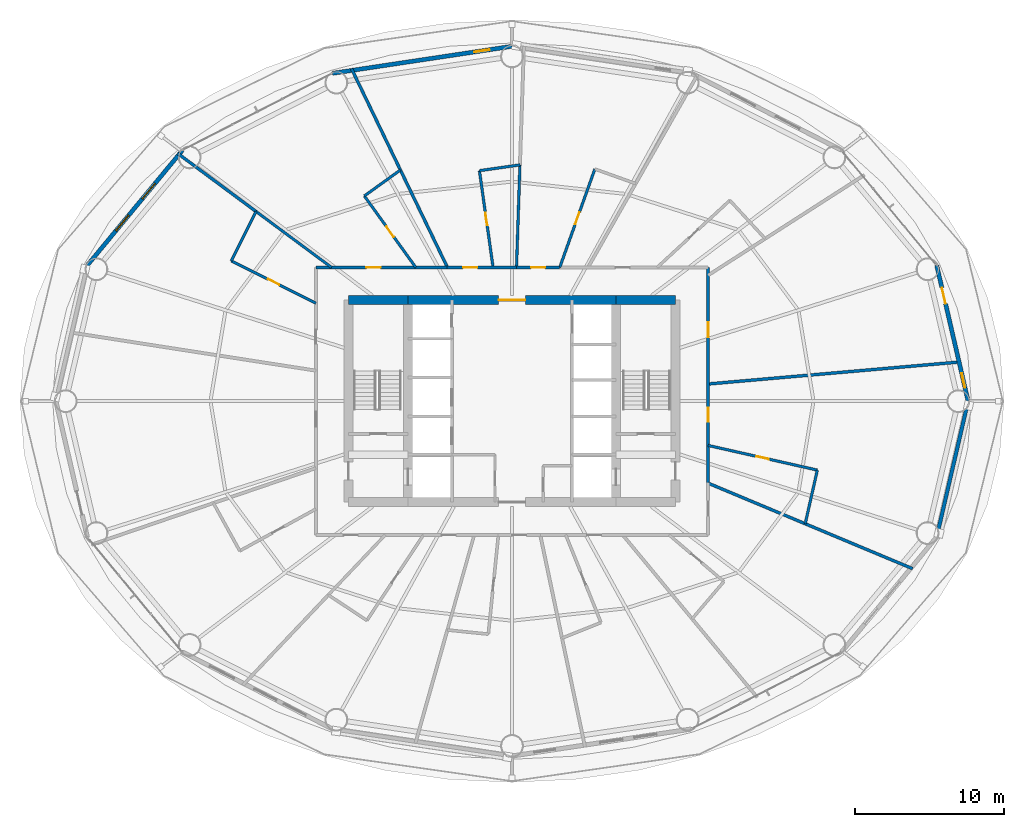
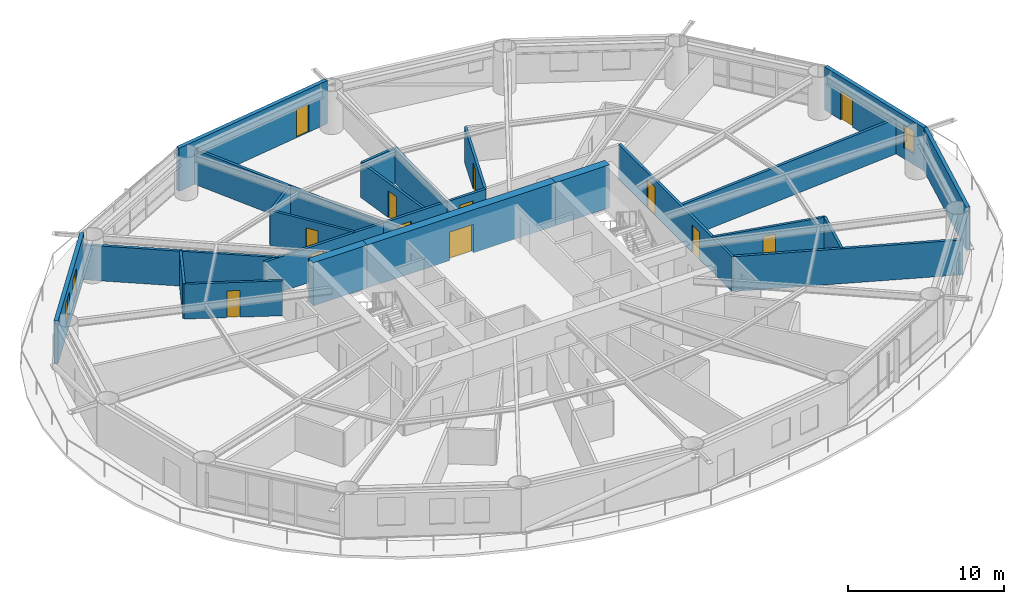
# One storey, part 24 of 28: 26 walls, 13 doors, 3 windows, 16 openings.
"""IFC4 building model written with IfcOpenShell, lengths in metres."""

from ifc_helpers import new_model, si_unit, direction, frame, frame_2d, origin, place, context, subcontext, project, spatial, rectangle, extrude, material, layer, layer_set, type_object, element, fill, save


model = new_model("IFC4")

# Units and contexts
model_context = context("Model", 3, precision=1e-05, world=origin(), true_north=direction((0.0, 1.0)))
body_context = subcontext(model_context, "Body", "Model", "MODEL_VIEW")
ifc_project = project(units=[si_unit("LENGTHUNIT", "METRE"), si_unit("AREAUNIT", "SQUARE_METRE"), si_unit("VOLUMEUNIT", "CUBIC_METRE"), si_unit("PLANEANGLEUNIT", "RADIAN"), si_unit("MASSUNIT", "GRAM", prefix="KILO")], contexts=[model_context])

# Site, building, storey
site_placement = place(None, origin())
site = spatial("IfcSite", under=ifc_project, at=site_placement, CompositionType="ELEMENT")
building_placement = place(site_placement, origin())
building = spatial("IfcBuilding", under=site, at=building_placement, Name="Sarneth Arch Tower", CompositionType="ELEMENT")
storey_placement = place(building_placement, frame((0.0, 0.0, 31.800048828125)))
storey = spatial("IfcBuildingStorey", under=building, at=storey_placement, Name="L06", CompositionType="ELEMENT", Elevation=31.800048828125)

# Wall
ifc_material_1 = material(Name="Concrete C60/75", Category="concrete")
ifc_layer_1 = layer(ifc_material_1, 0.60009765625)
ifc_layer_set_1 = layer_set([ifc_layer_1], Name="Concrete C60/75")
wall_type_1 = type_object("IfcWallType", Name="WALL-CORE-600", PredefinedType="SHEAR", material=ifc_layer_set_1)
wall_1_placement = place(storey_placement, frame((37.0, 48.800048828125, 0.0), z_axis=(0.0, 0.0, 1.0), x_axis=(1.0, 0.0, 0.0)))
element("IfcWall", 1, at=wall_1_placement, inside=storey, type_object=wall_type_1, Name="L06 Core shear wall N-W", PredefinedType="SHEAR", context=body_context, shape_type="SweptSolid", body=[
    extrude(rectangle(XDim=4.0, YDim=0.60009765625, at=frame_2d((2.0, 0.0))), origin(), (0.0, 0.0, 1.0), 3.3798828125),
])

# Wall, opening, door
wall_2_placement = place(storey_placement, frame((41.0, 48.800048828125, 0.0), z_axis=(0.0, 0.0, 1.0), x_axis=(1.0, 0.0, 0.0)))
wall_2 = element("IfcWall", 2, at=wall_2_placement, inside=storey, type_object=wall_type_1, Name="L06 Core shear wall N-M", PredefinedType="SHEAR", context=body_context, shape_type="SweptSolid", body=[
    extrude(rectangle(XDim=14.0, YDim=0.60009765625, at=frame_2d((7.0, 0.0))), origin(), (0.0, 0.0, 1.0), 3.3798828125),
])
opening_1_placement = place(wall_2_placement, frame((6.10009765625, 0.0, 0.0)))
opening_1 = element("IfcOpeningElement", 3, at=opening_1_placement, cuts=wall_2, Name="Opening FD-01", PredefinedType="OPENING", context=body_context, shape_type="SweptSolid", body=[
    extrude(rectangle(XDim=1.800048828125, YDim=2.25, at=frame_2d((0.89990234375, 1.125))), frame((0.0, 0.31005859375, 0.0), z_axis=(0.0, -1.0, 0.0), x_axis=(1.0, 0.0, 0.0)), (0.0, 0.0, 1.0), 0.6201171875),
])
ifc_material_2 = material(Name="Galvanised Steel S275 fire door set", Category="steel")
door_type_1 = type_object("IfcDoorType", Name="DR-FD90-1800", OperationType="DOUBLE_DOOR_SINGLE_SWING", PredefinedType="DOOR", material=ifc_material_2)
door_1_placement = place(opening_1_placement, origin())
door_1 = element("IfcDoor", 4, at=door_1_placement, inside=storey, type_object=door_type_1, Name="L06 Central lift lobby north door", OperationType="DOUBLE_DOOR_SINGLE_SWING", OverallHeight=2.25, OverallWidth=1.800048828125, PredefinedType="DOOR", context=body_context, shape_type="SweptSolid", body=[
    extrude(rectangle(XDim=1.800048828125, YDim=2.25, at=frame_2d((0.89990234375, 1.125))), frame((0.0, 0.02490234375, 0.0), z_axis=(0.0, -1.0, 0.0), x_axis=(1.0, 0.0, 0.0)), (0.0, 0.0, 1.0), 0.050048828125),
])
fill(opening_1, door_1)

# Wall
wall_3_placement = place(storey_placement, frame((55.0, 48.800048828125, 0.0), z_axis=(0.0, 0.0, 1.0), x_axis=(1.0, 0.0, 0.0)))
element("IfcWall", 5, at=wall_3_placement, inside=storey, type_object=wall_type_1, Name="L06 Core shear wall N-E", PredefinedType="SHEAR", context=body_context, shape_type="SweptSolid", body=[
    extrude(rectangle(XDim=4.0, YDim=0.60009765625, at=frame_2d((2.0, 0.0))), origin(), (0.0, 0.0, 1.0), 3.3798828125),
])

# Wall, openings, doors
ifc_material_3 = material(Name="Double steel-stud corridor fire wall", Category="steel")
ifc_layer_2 = layer(ifc_material_3, 0.18994140625)
ifc_layer_set_2 = layer_set([ifc_layer_2], Name="Double steel-stud corridor fire wall")
wall_type_2 = type_object("IfcWallType", Name="WALL-CORR-190", PredefinedType="PARTITIONING", material=ifc_layer_set_2)
wall_4_placement = place(storey_placement, frame((61.199951171875, 51.0, 0.0), z_axis=(0.0, 0.0, 1.0), x_axis=(0.0, -1.0, 0.0)))
wall_4 = element("IfcWall", 6, at=wall_4_placement, inside=storey, type_object=wall_type_2, Name="L06 Interior partition W-L06-TP-001", PredefinedType="PARTITIONING", context=body_context, shape_type="SweptSolid", body=[
    extrude(rectangle(XDim=14.55419921875, YDim=0.18994140625, at=frame_2d((7.277099609375, 0.0))), origin(), (0.0, 0.0, 1.0), 2.739990234375),
])
opening_2_placement = place(wall_4_placement, frame((3.683837890625, 0.0, 0.0)))
opening_2 = element("IfcOpeningElement", 7, at=opening_2_placement, cuts=wall_4, Name="Opening FD-08", PredefinedType="OPENING", context=body_context, shape_type="SweptSolid", body=[
    extrude(rectangle(XDim=1.0, YDim=2.199951171875, at=frame_2d((0.5, 1.10009765625))), frame((0.0, 0.10498046875, 0.0), z_axis=(0.0, -1.0, 0.0), x_axis=(1.0, 0.0, 0.0)), (0.0, 0.0, 1.0), 0.2099609375),
])
opening_3_placement = place(wall_4_placement, frame((9.43798828125, 0.0, 0.0)))
opening_3 = element("IfcOpeningElement", 8, at=opening_3_placement, cuts=wall_4, Name="Opening FD-09", PredefinedType="OPENING", context=body_context, shape_type="SweptSolid", body=[
    extrude(rectangle(XDim=0.949951171875, YDim=2.14990234375, at=frame_2d((0.47509765625, 1.074951171875))), frame((0.0, 0.10498046875, 0.0), z_axis=(0.0, -1.0, 0.0), x_axis=(1.0, 0.0, 0.0)), (0.0, 0.0, 1.0), 0.2099609375),
])
ifc_material_4 = material(Name="Hardwood timber acoustic fire door", Category="wood")
door_type_2 = type_object("IfcDoorType", Name="DR-FD60-1000", OperationType="SINGLE_SWING_LEFT", PredefinedType="DOOR", material=ifc_material_4)
door_2_placement = place(opening_2_placement, origin())
door_2 = element("IfcDoor", 9, at=door_2_placement, inside=storey, type_object=door_type_2, Name="L06 Interior door DR-L06-AMN-01", OperationType="SINGLE_SWING_LEFT", OverallHeight=2.199951171875, OverallWidth=1.0, PredefinedType="DOOR", context=body_context, shape_type="SweptSolid", body=[
    extrude(rectangle(XDim=1.0, YDim=2.199951171875, at=frame_2d((0.5, 1.10009765625))), frame((0.0, 0.02490234375, 0.0), z_axis=(0.0, -1.0, 0.0), x_axis=(1.0, 0.0, 0.0)), (0.0, 0.0, 1.0), 0.050048828125),
])
fill(opening_2, door_2)
ifc_material_5 = material(Name="Hardwood timber hotel entrance fire door", Category="wood")
door_type_3 = type_object("IfcDoorType", Name="DR-FD60-950", OperationType="SINGLE_SWING_RIGHT", PredefinedType="DOOR", material=ifc_material_5)
door_3_placement = place(opening_3_placement, origin())
door_3 = element("IfcDoor", 10, at=door_3_placement, inside=storey, type_object=door_type_3, Name="L06 Interior door DR-L06-KEY-13", OperationType="SINGLE_SWING_LEFT", OverallHeight=2.14990234375, OverallWidth=0.949951171875, PredefinedType="DOOR", context=body_context, shape_type="SweptSolid", body=[
    extrude(rectangle(XDim=0.949951171875, YDim=2.14990234375, at=frame_2d((0.47509765625, 1.074951171875))), frame((0.0, 0.02490234375, 0.0), z_axis=(0.0, -1.0, 0.0), x_axis=(1.0, 0.0, 0.0)), (0.0, 0.0, 1.0), 0.050048828125),
])
fill(opening_3, door_3)

# Wall, opening, door
wall_5_placement = place(storey_placement, frame((34.800048828125, 51.0, 0.0), z_axis=(0.0, 0.0, 1.0), x_axis=(1.0, 0.0, 0.0)))
wall_5 = element("IfcWall", 11, at=wall_5_placement, inside=storey, type_object=wall_type_2, Name="L06 Interior partition W-L06-TP-009", PredefinedType="PARTITIONING", context=body_context, shape_type="SweptSolid", body=[
    extrude(rectangle(XDim=8.890625, YDim=0.18994140625, at=frame_2d((4.4453125, 0.0))), origin(), (0.0, 0.0, 1.0), 2.739990234375),
])
opening_4_placement = place(wall_5_placement, frame((3.40673828125, 0.0, 0.0)))
opening_4 = element("IfcOpeningElement", 12, at=opening_4_placement, cuts=wall_5, Name="Opening FD-09", PredefinedType="OPENING", context=body_context, shape_type="SweptSolid", body=[
    extrude(rectangle(XDim=0.949951171875, YDim=2.14990234375, at=frame_2d((0.47509765625, 1.074951171875))), frame((0.0, 0.10498046875, 0.0), z_axis=(0.0, -1.0, 0.0), x_axis=(1.0, 0.0, 0.0)), (0.0, 0.0, 1.0), 0.2099609375),
])
door_4_placement = place(opening_4_placement, origin())
door_4 = element("IfcDoor", 13, at=door_4_placement, inside=storey, type_object=door_type_3, Name="L06 Interior door DR-L06-KEY-05", OperationType="SINGLE_SWING_LEFT", OverallHeight=2.14990234375, OverallWidth=0.949951171875, PredefinedType="DOOR", context=body_context, shape_type="SweptSolid", body=[
    extrude(rectangle(XDim=0.949951171875, YDim=2.14990234375, at=frame_2d((0.47509765625, 1.074951171875))), frame((0.0, 0.02490234375, 0.0), z_axis=(0.0, -1.0, 0.0), x_axis=(1.0, 0.0, 0.0)), (0.0, 0.0, 1.0), 0.050048828125),
])
fill(opening_4, door_4)

wall_6_placement = place(storey_placement, frame((43.61962890625, 51.0, 0.0), z_axis=(0.0, 0.0, 1.0), x_axis=(1.0, 0.0, 0.0)))
wall_6 = element("IfcWall", 14, at=wall_6_placement, inside=storey, type_object=wall_type_2, Name="L06 Interior partition W-L06-TP-007", PredefinedType="PARTITIONING", context=body_context, shape_type="SweptSolid", body=[
    extrude(rectangle(XDim=4.6826171875, YDim=0.18994140625, at=frame_2d((2.34130859375, 0.0))), origin(), (0.0, 0.0, 1.0), 2.739990234375),
])
opening_5_placement = place(wall_6_placement, frame((1.09521484375, 0.0, 0.0)))
opening_5 = element("IfcOpeningElement", 15, at=opening_5_placement, cuts=wall_6, Name="Opening FD-09", PredefinedType="OPENING", context=body_context, shape_type="SweptSolid", body=[
    extrude(rectangle(XDim=0.949951171875, YDim=2.14990234375, at=frame_2d((0.47509765625, 1.074951171875))), frame((0.0, 0.10498046875, 0.0), z_axis=(0.0, -1.0, 0.0), x_axis=(1.0, 0.0, 0.0)), (0.0, 0.0, 1.0), 0.2099609375),
])
door_5_placement = place(opening_5_placement, origin())
door_5 = element("IfcDoor", 16, at=door_5_placement, inside=storey, type_object=door_type_3, Name="L06 Interior door DR-L06-KEY-04", OperationType="SINGLE_SWING_LEFT", OverallHeight=2.14990234375, OverallWidth=0.949951171875, PredefinedType="DOOR", context=body_context, shape_type="SweptSolid", body=[
    extrude(rectangle(XDim=0.949951171875, YDim=2.14990234375, at=frame_2d((0.47509765625, 1.074951171875))), frame((0.0, 0.02490234375, 0.0), z_axis=(0.0, -1.0, 0.0), x_axis=(1.0, 0.0, 0.0)), (0.0, 0.0, 1.0), 0.050048828125),
])
fill(opening_5, door_5)

wall_7_placement = place(storey_placement, frame((51.212890625, 51.0, 0.0), z_axis=(0.0, 0.0, 1.0), x_axis=(-1.0, 0.0, 0.0)))
wall_7 = element("IfcWall", 17, at=wall_7_placement, inside=storey, type_object=wall_type_2, Name="L06 Interior partition W-L06-TP-005", PredefinedType="PARTITIONING", context=body_context, shape_type="SweptSolid", body=[
    extrude(rectangle(XDim=2.91064453125, YDim=0.18994140625, at=frame_2d((1.455322265625, 0.0))), origin(), (0.0, 0.0, 1.0), 2.739990234375),
])
opening_6_placement = place(wall_7_placement, frame((0.980224609375, 0.0, 0.0)))
opening_6 = element("IfcOpeningElement", 18, at=opening_6_placement, cuts=wall_7, Name="Opening FD-09", PredefinedType="OPENING", context=body_context, shape_type="SweptSolid", body=[
    extrude(rectangle(XDim=0.949951171875, YDim=2.14990234375, at=frame_2d((0.47509765625, 1.074951171875))), frame((0.0, 0.10498046875, 0.0), z_axis=(0.0, -1.0, 0.0), x_axis=(1.0, 0.0, 0.0)), (0.0, 0.0, 1.0), 0.2099609375),
])
door_6_placement = place(opening_6_placement, origin())
door_6 = element("IfcDoor", 19, at=door_6_placement, inside=storey, type_object=door_type_3, Name="L06 Interior door DR-L06-KEY-03", OperationType="SINGLE_SWING_LEFT", OverallHeight=2.14990234375, OverallWidth=0.949951171875, PredefinedType="DOOR", context=body_context, shape_type="SweptSolid", body=[
    extrude(rectangle(XDim=0.949951171875, YDim=2.14990234375, at=frame_2d((0.47509765625, 1.074951171875))), frame((0.0, 0.02490234375, 0.0), z_axis=(0.0, -1.0, 0.0), x_axis=(1.0, 0.0, 0.0)), (0.0, 0.0, 1.0), 0.050048828125),
])
fill(opening_6, door_6)

# Wall
ifc_material_6 = material(Name="Extruded terracotta rainscreen on Concrete C40/50 backing", Category="masonry")
ifc_layer_3 = layer(ifc_material_6, 0.25)
ifc_layer_set_3 = layer_set([ifc_layer_3], Name="Extruded terracotta rainscreen on Concrete C40/50 backing")
wall_type_3 = type_object("IfcWallType", Name="WALL-EXT-SPAND-250", PredefinedType="SOLIDWALL", material=ifc_layer_set_3)
wall_8_placement = place(storey_placement, frame((76.5810546875, 32.861572265625, 0.0), z_axis=(0.0, 0.0, 1.0), x_axis=(0.225454452941, 0.974253709076, 0.0)))
element("IfcWall", 20, at=wall_8_placement, inside=storey, type_object=wall_type_3, Name="L06 Terracotta perimeter wall 16", PredefinedType="SOLIDWALL", context=body_context, shape_type="SweptSolid", body=[
    extrude(rectangle(XDim=9.3798828125, YDim=0.25, at=frame_2d((4.68994140625, 0.0))), origin(), (0.0, 0.0, 1.0), 3.3798828125),
])

# Wall, openings, door, window
ifc_material_7 = material(Name="Extruded terracotta rainscreen on Concrete C40/50 backing", Category="masonry")
ifc_layer_4 = layer(ifc_material_7, 0.280029296875)
ifc_layer_set_4 = layer_set([ifc_layer_4], Name="Extruded terracotta rainscreen on Concrete C40/50 backing")
wall_type_4 = type_object("IfcWallType", Name="WALL-EXT-TERRA-280", PredefinedType="SOLIDWALL", material=ifc_layer_set_4)
wall_9_placement = place(storey_placement, frame((78.69580078125, 42.0, 0.0), z_axis=(0.0, 0.0, 1.0), x_axis=(-0.225454452941, 0.974253709076, 0.0)))
wall_9 = element("IfcWall", 21, at=wall_9_placement, inside=storey, type_object=wall_type_4, Name="L06 Terracotta perimeter wall 01", PredefinedType="SOLIDWALL", context=body_context, shape_type="SweptSolid", body=[
    extrude(rectangle(XDim=9.3798828125, YDim=0.280029296875, at=frame_2d((4.68994140625, 0.0))), origin(), (0.0, 0.0, 1.0), 3.3798828125),
])
opening_7_placement = place(wall_9_placement, frame((6.735107421875, 0.0, 0.0)))
opening_7 = element("IfcOpeningElement", 22, at=opening_7_placement, cuts=wall_9, Name="Opening BD-3", PredefinedType="OPENING", context=body_context, shape_type="SweptSolid", body=[
    extrude(rectangle(XDim=1.10009765625, YDim=2.25, at=frame_2d((0.550048828125, 1.125))), frame((0.0, 0.14990234375, 0.0), z_axis=(0.0, -1.0, 0.0), x_axis=(1.0, 0.0, 0.0)), (0.0, 0.0, 1.0), 0.300048828125),
])
opening_8_placement = place(wall_9_placement, frame((0.928955078125, 0.0, 0.85009765625)))
opening_8 = element("IfcOpeningElement", 23, at=opening_8_placement, cuts=wall_9, Name="Opening W-11", PredefinedType="OPENING", context=body_context, shape_type="SweptSolid", body=[
    extrude(rectangle(XDim=1.0, YDim=1.800048828125, at=frame_2d((0.5, 0.89990234375))), frame((0.0, 0.14990234375, 0.0), z_axis=(0.0, -1.0, 0.0), x_axis=(1.0, 0.0, 0.0)), (0.0, 0.0, 1.0), 0.300048828125),
])
ifc_material_8 = material(Name="Thermally broken Aluminium 6063-T6 and laminated safety glass", Category="aluminium")
door_type_4 = type_object("IfcDoorType", Name="DR-BALC-GLZ-1100", OperationType="SINGLE_SWING_LEFT", PredefinedType="DOOR", material=ifc_material_8)
door_7_placement = place(opening_7_placement, origin())
door_7 = element("IfcDoor", 24, at=door_7_placement, inside=storey, type_object=door_type_4, Name="L06 Balcony glazed door 01", OperationType="SINGLE_SWING_LEFT", OverallHeight=2.25, OverallWidth=1.10009765625, PredefinedType="DOOR", context=body_context, shape_type="SweptSolid", body=[
    extrude(rectangle(XDim=1.10009765625, YDim=2.25, at=frame_2d((0.550048828125, 1.125))), frame((0.0, 0.02490234375, 0.0), z_axis=(0.0, -1.0, 0.0), x_axis=(1.0, 0.0, 0.0)), (0.0, 0.0, 1.0), 0.050048828125),
])
fill(opening_7, door_7)
ifc_material_9 = material(Name="Thermally broken Aluminium 6063-T6 and low-e laminated IGU", Category="aluminium")
window_type_1 = type_object("IfcWindowType", Name="WIN-TWR-1000x1800", PartitioningType="SINGLE_PANEL", PredefinedType="WINDOW", material=ifc_material_9)
window_1_placement = place(opening_8_placement, origin())
window_1 = element("IfcWindow", 25, at=window_1_placement, inside=storey, type_object=window_type_1, Name="L06 Dwelling bedroom window 02", OverallHeight=1.800048828125, OverallWidth=1.0, PartitioningType="SINGLE_PANEL", PredefinedType="WINDOW", context=body_context, shape_type="SweptSolid", body=[
    extrude(rectangle(XDim=1.0, YDim=1.800048828125, at=frame_2d((0.5, 0.89990234375))), frame((0.0, 0.030029296875, 0.0), z_axis=(0.0, -1.0, 0.0), x_axis=(1.0, 0.0, 0.0)), (0.0, 0.0, 1.0), 0.06005859375),
])
fill(opening_8, window_1)

# Wall, opening, door
wall_10_placement = place(storey_placement, frame((48.0, 65.8798828125, 0.0), z_axis=(0.0, 0.0, 1.0), x_axis=(-0.988864835849, -0.148816452121, 0.0)))
wall_10 = element("IfcWall", 26, at=wall_10_placement, inside=storey, type_object=wall_type_4, Name="L06 Terracotta perimeter wall 05", PredefinedType="SOLIDWALL", context=body_context, shape_type="SweptSolid", body=[
    extrude(rectangle(XDim=12.2138671875, YDim=0.280029296875, at=frame_2d((6.10693359375, 0.0))), origin(), (0.0, 0.0, 1.0), 3.3798828125),
])
opening_9_placement = place(wall_10_placement, frame((1.53125, 0.0, 0.0)))
opening_9 = element("IfcOpeningElement", 27, at=opening_9_placement, cuts=wall_10, Name="Opening BD-4", PredefinedType="OPENING", context=body_context, shape_type="SweptSolid", body=[
    extrude(rectangle(XDim=1.050048828125, YDim=2.199951171875, at=frame_2d((0.52490234375, 1.10009765625))), frame((0.0, 0.14990234375, 0.0), z_axis=(0.0, -1.0, 0.0), x_axis=(1.0, 0.0, 0.0)), (0.0, 0.0, 1.0), 0.300048828125),
])
ifc_material_10 = material(Name="Thermally broken Aluminium 6063-T6 and laminated safety glass", Category="aluminium")
door_type_5 = type_object("IfcDoorType", Name="DR-BALC-GLZ-1050", OperationType="SINGLE_SWING_RIGHT", PredefinedType="DOOR", material=ifc_material_10)
door_8_placement = place(opening_9_placement, origin())
door_8 = element("IfcDoor", 28, at=door_8_placement, inside=storey, type_object=door_type_5, Name="L06 Balcony glazed door 05", OperationType="SINGLE_SWING_RIGHT", OverallHeight=2.199951171875, OverallWidth=1.050048828125, PredefinedType="DOOR", context=body_context, shape_type="SweptSolid", body=[
    extrude(rectangle(XDim=1.050048828125, YDim=2.199951171875, at=frame_2d((0.52490234375, 1.10009765625))), frame((0.0, 0.02490234375, 0.0), z_axis=(0.0, -1.0, 0.0), x_axis=(1.0, 0.0, 0.0)), (0.0, 0.0, 1.0), 0.050048828125),
])
fill(opening_9, door_8)

# Wall, openings, windows
wall_11_placement = place(storey_placement, frame((25.825927734375, 58.8857421875, 0.0), z_axis=(0.0, 0.0, 1.0), x_axis=(-0.637296809613, -0.770618437657, 0.0)))
wall_11 = element("IfcWall", 29, at=wall_11_placement, inside=storey, type_object=wall_type_4, Name="L06 Terracotta perimeter wall 07", PredefinedType="SOLIDWALL", context=body_context, shape_type="SweptSolid", body=[
    extrude(rectangle(XDim=10.053466796875, YDim=0.280029296875, at=frame_2d((5.02685546875, 0.0))), origin(), (0.0, 0.0, 1.0), 3.3798828125),
])
opening_10_placement = place(wall_11_placement, frame((2.89794921875, 0.0, 0.85009765625)))
opening_10 = element("IfcOpeningElement", 30, at=opening_10_placement, cuts=wall_11, Name="Opening W-08", PredefinedType="OPENING", context=body_context, shape_type="SweptSolid", body=[
    extrude(rectangle(XDim=1.35009765625, YDim=1.800048828125, at=frame_2d((0.675048828125, 0.89990234375))), frame((0.0, 0.14990234375, 0.0), z_axis=(0.0, -1.0, 0.0), x_axis=(1.0, 0.0, 0.0)), (0.0, 0.0, 1.0), 0.300048828125),
])
opening_11_placement = place(wall_11_placement, frame((5.6796875, 0.0, 0.85009765625)))
opening_11 = element("IfcOpeningElement", 31, at=opening_11_placement, cuts=wall_11, Name="Opening W-08", PredefinedType="OPENING", context=body_context, shape_type="SweptSolid", body=[
    extrude(rectangle(XDim=1.35009765625, YDim=1.800048828125, at=frame_2d((0.675048828125, 0.89990234375))), frame((0.0, 0.14990234375, 0.0), z_axis=(0.0, -1.0, 0.0), x_axis=(1.0, 0.0, 0.0)), (0.0, 0.0, 1.0), 0.300048828125),
])
ifc_material_11 = material(Name="Thermally broken Aluminium 6063-T6 and low-e laminated IGU", Category="aluminium")
window_type_2 = type_object("IfcWindowType", Name="WIN-TWR-1350x1800", PartitioningType="SINGLE_PANEL", PredefinedType="WINDOW", material=ifc_material_11)
window_2_placement = place(opening_10_placement, origin())
window_2 = element("IfcWindow", 32, at=window_2_placement, inside=storey, type_object=window_type_2, Name="L06 Exterior window 07A", OverallHeight=1.800048828125, OverallWidth=1.35009765625, PartitioningType="SINGLE_PANEL", PredefinedType="WINDOW", context=body_context, shape_type="SweptSolid", body=[
    extrude(rectangle(XDim=1.35009765625, YDim=1.800048828125, at=frame_2d((0.675048828125, 0.89990234375))), frame((0.0, 0.030029296875, 0.0), z_axis=(0.0, -1.0, 0.0), x_axis=(1.0, 0.0, 0.0)), (0.0, 0.0, 1.0), 0.06005859375),
])
fill(opening_10, window_2)
window_3_placement = place(opening_11_placement, origin())
window_3 = element("IfcWindow", 33, at=window_3_placement, inside=storey, type_object=window_type_2, Name="L06 Exterior window 07B", OverallHeight=1.800048828125, OverallWidth=1.35009765625, PartitioningType="SINGLE_PANEL", PredefinedType="WINDOW", context=body_context, shape_type="SweptSolid", body=[
    extrude(rectangle(XDim=1.35009765625, YDim=1.800048828125, at=frame_2d((0.675048828125, 0.89990234375))), frame((0.0, 0.030029296875, 0.0), z_axis=(0.0, -1.0, 0.0), x_axis=(1.0, 0.0, 0.0)), (0.0, 0.0, 1.0), 0.06005859375),
])
fill(opening_11, window_3)

# Wall, opening, door
ifc_material_12 = material(Name="Moisture-resistant plumbing chase wall", Category="gypsum")
ifc_layer_5 = layer(ifc_material_12, 0.179931640625)
ifc_layer_set_5 = layer_set([ifc_layer_5], Name="Moisture-resistant plumbing chase wall")
wall_type_5 = type_object("IfcWallType", Name="WALL-PLUMB-180", PredefinedType="PLUMBINGWALL", material=ifc_layer_set_5)
wall_12_placement = place(storey_placement, frame((68.546875, 37.36083984375, 0.0), z_axis=(0.0, 0.0, 1.0), x_axis=(-0.975442349969, 0.220254902072, 0.0)))
wall_12 = element("IfcWall", 34, at=wall_12_placement, inside=storey, type_object=wall_type_5, Name="L06 Interior partition W-L06-TP-074", PredefinedType="PLUMBINGWALL", context=body_context, shape_type="SweptSolid", body=[
    extrude(rectangle(XDim=7.531982421875, YDim=0.179931640625, at=frame_2d((3.76611328125, 0.0))), origin(), (0.0, 0.0, 1.0), 2.739990234375),
])
opening_12_placement = place(wall_12_placement, frame((3.3408203125, 0.0, 0.0)))
opening_12 = element("IfcOpeningElement", 35, at=opening_12_placement, cuts=wall_12, Name="Opening ID-02", PredefinedType="OPENING", context=body_context, shape_type="SweptSolid", body=[
    extrude(rectangle(XDim=0.85009765625, YDim=2.10009765625, at=frame_2d((0.425048828125, 1.050048828125))), frame((0.0, 0.099853515625, 0.0), z_axis=(0.0, -1.0, 0.0), x_axis=(1.0, 0.0, 0.0)), (0.0, 0.0, 1.0), 0.199951171875),
])
ifc_material_13 = material(Name="Moisture-resistant bathroom timber door", Category="wood")
door_type_6 = type_object("IfcDoorType", Name="DR-INT-850", OperationType="SINGLE_SWING_RIGHT", PredefinedType="DOOR", material=ifc_material_13)
door_9_placement = place(opening_12_placement, origin())
door_9 = element("IfcDoor", 36, at=door_9_placement, inside=storey, type_object=door_type_6, Name="L06 Interior door DR-L06-ENS-13", OperationType="SINGLE_SWING_LEFT", OverallHeight=2.10009765625, OverallWidth=0.85009765625, PredefinedType="DOOR", context=body_context, shape_type="SweptSolid", body=[
    extrude(rectangle(XDim=0.85009765625, YDim=2.10009765625, at=frame_2d((0.425048828125, 1.050048828125))), frame((0.0, 0.02490234375, 0.0), z_axis=(0.0, -1.0, 0.0), x_axis=(1.0, 0.0, 0.0)), (0.0, 0.0, 1.0), 0.050048828125),
])
fill(opening_12, door_9)

wall_13_placement = place(storey_placement, frame((53.576416015625, 57.62060546875, 0.0), z_axis=(0.0, 0.0, 1.0), x_axis=(-0.336213191961, -0.941785904307, 0.0)))
wall_13 = element("IfcWall", 37, at=wall_13_placement, inside=storey, type_object=wall_type_5, Name="L06 Interior partition W-L06-TP-037", PredefinedType="PLUMBINGWALL", context=body_context, shape_type="SweptSolid", body=[
    extrude(rectangle(XDim=7.02978515625, YDim=0.179931640625, at=frame_2d((3.514892578125, 0.0))), origin(), (0.0, 0.0, 1.0), 2.739990234375),
])
opening_13_placement = place(wall_13_placement, frame((3.08984375, 0.0, 0.0)))
opening_13 = element("IfcOpeningElement", 38, at=opening_13_placement, cuts=wall_13, Name="Opening ID-02", PredefinedType="OPENING", context=body_context, shape_type="SweptSolid", body=[
    extrude(rectangle(XDim=0.85009765625, YDim=2.10009765625, at=frame_2d((0.425048828125, 1.050048828125))), frame((0.0, 0.099853515625, 0.0), z_axis=(0.0, -1.0, 0.0), x_axis=(1.0, 0.0, 0.0)), (0.0, 0.0, 1.0), 0.199951171875),
])
door_10_placement = place(opening_13_placement, origin())
door_10 = element("IfcDoor", 39, at=door_10_placement, inside=storey, type_object=door_type_6, Name="L06 Interior door DR-L06-ENS-03", OperationType="SINGLE_SWING_RIGHT", OverallHeight=2.10009765625, OverallWidth=0.85009765625, PredefinedType="DOOR", context=body_context, shape_type="SweptSolid", body=[
    extrude(rectangle(XDim=0.85009765625, YDim=2.10009765625, at=frame_2d((0.425048828125, 1.050048828125))), frame((0.0, 0.02490234375, 0.0), z_axis=(0.0, -1.0, 0.0), x_axis=(1.0, 0.0, 0.0)), (0.0, 0.0, 1.0), 0.050048828125),
])
fill(opening_13, door_10)

# Wall
wall_14_placement = place(storey_placement, frame((48.53369140625, 57.897216796875, 0.0), z_axis=(0.0, 0.0, 1.0), x_axis=(-0.033537457551, -0.999437461246, 0.0)))
element("IfcWall", 40, at=wall_14_placement, inside=storey, type_object=wall_type_5, Name="L06 Interior partition W-L06-TP-039", PredefinedType="PLUMBINGWALL", context=body_context, shape_type="SweptSolid", body=[
    extrude(rectangle(XDim=6.901123046875, YDim=0.179931640625, at=frame_2d((3.45068359375, 0.0))), origin(), (0.0, 0.0, 1.0), 2.739990234375),
])

# Wall, opening, door
wall_15_placement = place(storey_placement, frame((46.727783203125, 51.0, 0.0), z_axis=(0.0, 0.0, 1.0), x_axis=(-0.139991961821, 0.990152640064, 0.0)))
wall_15 = element("IfcWall", 41, at=wall_15_placement, inside=storey, type_object=wall_type_5, Name="L06 Interior partition W-L06-TP-040", PredefinedType="PLUMBINGWALL", context=body_context, shape_type="SweptSolid", body=[
    extrude(rectangle(XDim=6.576416015625, YDim=0.179931640625, at=frame_2d((3.2880859375, 0.0))), origin(), (0.0, 0.0, 1.0), 2.739990234375),
])
opening_14_placement = place(wall_15_placement, frame((2.86328125, 0.0, 0.0)))
opening_14 = element("IfcOpeningElement", 42, at=opening_14_placement, cuts=wall_15, Name="Opening ID-02", PredefinedType="OPENING", context=body_context, shape_type="SweptSolid", body=[
    extrude(rectangle(XDim=0.85009765625, YDim=2.10009765625, at=frame_2d((0.425048828125, 1.050048828125))), frame((0.0, 0.099853515625, 0.0), z_axis=(0.0, -1.0, 0.0), x_axis=(1.0, 0.0, 0.0)), (0.0, 0.0, 1.0), 0.199951171875),
])
door_11_placement = place(opening_14_placement, origin())
door_11 = element("IfcDoor", 43, at=door_11_placement, inside=storey, type_object=door_type_6, Name="L06 Interior door DR-L06-ENS-04", OperationType="SINGLE_SWING_RIGHT", OverallHeight=2.10009765625, OverallWidth=0.85009765625, PredefinedType="DOOR", context=body_context, shape_type="SweptSolid", body=[
    extrude(rectangle(XDim=0.85009765625, YDim=2.10009765625, at=frame_2d((0.425048828125, 1.050048828125))), frame((0.0, 0.02490234375, 0.0), z_axis=(0.0, -1.0, 0.0), x_axis=(1.0, 0.0, 0.0)), (0.0, 0.0, 1.0), 0.050048828125),
])
fill(opening_14, door_11)

wall_16_placement = place(storey_placement, frame((34.800048828125, 48.601318359375, 0.0), z_axis=(0.0, 0.0, 1.0), x_axis=(-0.894404156958, 0.447259660617, 0.0)))
wall_16 = element("IfcWall", 44, at=wall_16_placement, inside=storey, type_object=wall_type_5, Name="L06 Interior partition W-L06-TP-048", PredefinedType="PLUMBINGWALL", context=body_context, shape_type="SweptSolid", body=[
    extrude(rectangle(XDim=6.35986328125, YDim=0.179931640625, at=frame_2d((3.179931640625, 0.0))), origin(), (0.0, 0.0, 1.0), 2.739990234375),
])
opening_15_placement = place(wall_16_placement, frame((2.7548828125, 0.0, 0.0)))
opening_15 = element("IfcOpeningElement", 45, at=opening_15_placement, cuts=wall_16, Name="Opening ID-02", PredefinedType="OPENING", context=body_context, shape_type="SweptSolid", body=[
    extrude(rectangle(XDim=0.85009765625, YDim=2.10009765625, at=frame_2d((0.425048828125, 1.050048828125))), frame((0.0, 0.099853515625, 0.0), z_axis=(0.0, -1.0, 0.0), x_axis=(1.0, 0.0, 0.0)), (0.0, 0.0, 1.0), 0.199951171875),
])
door_12_placement = place(opening_15_placement, origin())
door_12 = element("IfcDoor", 46, at=door_12_placement, inside=storey, type_object=door_type_6, Name="L06 Interior door DR-L06-ENS-06", OperationType="SINGLE_SWING_RIGHT", OverallHeight=2.10009765625, OverallWidth=0.85009765625, PredefinedType="DOOR", context=body_context, shape_type="SweptSolid", body=[
    extrude(rectangle(XDim=0.85009765625, YDim=2.10009765625, at=frame_2d((0.425048828125, 1.050048828125))), frame((0.0, 0.02490234375, 0.0), z_axis=(0.0, -1.0, 0.0), x_axis=(1.0, 0.0, 0.0)), (0.0, 0.0, 1.0), 0.050048828125),
])
fill(opening_15, door_12)

# Wall
wall_17_placement = place(storey_placement, frame((30.772216796875, 54.765869140625, 0.0), z_axis=(0.0, 0.0, 1.0), x_axis=(0.803451199128, -0.595370616187, 0.0)))
element("IfcWall", 47, at=wall_17_placement, inside=storey, type_object=wall_type_5, Name="L06 Interior partition W-L06-TP-047", PredefinedType="PLUMBINGWALL", context=body_context, shape_type="SweptSolid", body=[
    extrude(rectangle(XDim=6.3251953125, YDim=0.179931640625, at=frame_2d((3.16259765625, 0.0))), origin(), (0.0, 0.0, 1.0), 2.739990234375),
])

# Wall, opening, door
wall_18_placement = place(storey_placement, frame((38.0634765625, 55.80859375, 0.0), z_axis=(0.0, 0.0, 1.0), x_axis=(0.584084318507, -0.811692989297, 0.0)))
wall_18 = element("IfcWall", 48, at=wall_18_placement, inside=storey, type_object=wall_type_5, Name="L06 Interior partition W-L06-TP-045", PredefinedType="PLUMBINGWALL", context=body_context, shape_type="SweptSolid", body=[
    extrude(rectangle(XDim=5.924072265625, YDim=0.179931640625, at=frame_2d((2.9619140625, 0.0))), origin(), (0.0, 0.0, 1.0), 2.739990234375),
])
opening_16_placement = place(wall_18_placement, frame((2.537109375, 0.0, 0.0)))
opening_16 = element("IfcOpeningElement", 49, at=opening_16_placement, cuts=wall_18, Name="Opening ID-02", PredefinedType="OPENING", context=body_context, shape_type="SweptSolid", body=[
    extrude(rectangle(XDim=0.85009765625, YDim=2.10009765625, at=frame_2d((0.425048828125, 1.050048828125))), frame((0.0, 0.099853515625, 0.0), z_axis=(0.0, -1.0, 0.0), x_axis=(1.0, 0.0, 0.0)), (0.0, 0.0, 1.0), 0.199951171875),
])
door_13_placement = place(opening_16_placement, origin())
door_13 = element("IfcDoor", 50, at=door_13_placement, inside=storey, type_object=door_type_6, Name="L06 Interior door DR-L06-ENS-05", OperationType="SINGLE_SWING_RIGHT", OverallHeight=2.10009765625, OverallWidth=0.85009765625, PredefinedType="DOOR", context=body_context, shape_type="SweptSolid", body=[
    extrude(rectangle(XDim=0.85009765625, YDim=2.10009765625, at=frame_2d((0.425048828125, 1.050048828125))), frame((0.0, 0.02490234375, 0.0), z_axis=(0.0, -1.0, 0.0), x_axis=(1.0, 0.0, 0.0)), (0.0, 0.0, 1.0), 0.050048828125),
])
fill(opening_16, door_13)

# Walls
wall_19_placement = place(storey_placement, frame((29.11181640625, 51.44580078125, 0.0), z_axis=(0.0, 0.0, 1.0), x_axis=(0.447292516126, 0.894387726334, 0.0)))
element("IfcWall", 51, at=wall_19_placement, inside=storey, type_object=wall_type_5, Name="L06 Interior partition W-L06-TP-049", PredefinedType="PLUMBINGWALL", context=body_context, shape_type="SweptSolid", body=[
    extrude(rectangle(XDim=3.712158203125, YDim=0.179931640625, at=frame_2d((1.85595703125, 0.0))), origin(), (0.0, 0.0, 1.0), 2.739990234375),
])
wall_20_placement = place(storey_placement, frame((67.7314453125, 33.749267578125, 0.0), z_axis=(0.0, 0.0, 1.0), x_axis=(0.220238608567, 0.9754460289, 0.0)))
element("IfcWall", 52, at=wall_20_placement, inside=storey, type_object=wall_type_5, Name="L06 Interior partition W-L06-TP-073", PredefinedType="PLUMBINGWALL", context=body_context, shape_type="SweptSolid", body=[
    extrude(rectangle(XDim=3.702392578125, YDim=0.179931640625, at=frame_2d((1.85107421875, 0.0))), origin(), (0.0, 0.0, 1.0), 2.739990234375),
])
wall_21_placement = place(storey_placement, frame((40.490478515625, 57.55517578125, 0.0), z_axis=(0.0, 0.0, 1.0), x_axis=(-0.811670601443, -0.584115429305, 0.0)))
element("IfcWall", 53, at=wall_21_placement, inside=storey, type_object=wall_type_5, Name="L06 Interior partition W-L06-TP-044", PredefinedType="PLUMBINGWALL", context=body_context, shape_type="SweptSolid", body=[
    extrude(rectangle(XDim=2.990234375, YDim=0.179931640625, at=frame_2d((1.4951171875, 0.0))), origin(), (0.0, 0.0, 1.0), 2.739990234375),
])
wall_22_placement = place(storey_placement, frame((45.80712890625, 57.51171875, 0.0), z_axis=(0.0, 0.0, 1.0), x_axis=(0.990152382036, 0.139993786823, 0.0)))
element("IfcWall", 54, at=wall_22_placement, inside=storey, type_object=wall_type_5, Name="L06 Interior partition W-L06-TP-041", PredefinedType="PLUMBINGWALL", context=body_context, shape_type="SweptSolid", body=[
    extrude(rectangle(XDim=2.753662109375, YDim=0.179931640625, at=frame_2d((1.376953125, 0.0))), origin(), (0.0, 0.0, 1.0), 2.739990234375),
])
ifc_material_14 = material(Name="Double steel-stud acoustic drywall", Category="steel")
ifc_layer_6 = layer(ifc_material_14, 0.199951171875)
ifc_layer_set_6 = layer_set([ifc_layer_6], Name="Double steel-stud acoustic drywall")
wall_type_6 = type_object("IfcWallType", Name="WALL-UNIT-200", PredefinedType="PARTITIONING", material=ifc_layer_set_6)
wall_23_placement = place(storey_placement, frame((61.199951171875, 43.15478515625, 0.0), z_axis=(0.0, 0.0, 1.0), x_axis=(0.996194943742, 0.087152934912, 0.0)))
element("IfcWall", 55, at=wall_23_placement, inside=storey, type_object=wall_type_6, Name="L06 Interior partition W-L06-TP-031", PredefinedType="PARTITIONING", context=body_context, shape_type="SweptSolid", body=[
    extrude(rectangle(XDim=17.071044921875, YDim=0.199951171875, at=frame_2d((8.53564453125, 0.0))), origin(), (0.0, 0.0, 1.0), 2.739990234375),
])
wall_24_placement = place(storey_placement, frame((61.199951171875, 36.48046875, 0.0), z_axis=(0.0, 0.0, 1.0), x_axis=(0.922585702004, -0.385792201136, 0.0)))
element("IfcWall", 56, at=wall_24_placement, inside=storey, type_object=wall_type_6, Name="L06 Interior partition W-L06-TP-071", PredefinedType="PARTITIONING", context=body_context, shape_type="SweptSolid", body=[
    extrude(rectangle(XDim=14.918212890625, YDim=0.199951171875, at=frame_2d((7.458984375, 0.0))), origin(), (0.0, 0.0, 1.0), 2.739990234375),
])
wall_25_placement = place(storey_placement, frame((43.655029296875, 51.0, 0.0), z_axis=(0.0, 0.0, 1.0), x_axis=(-0.434738949034, 0.900556520266, 0.0)))
element("IfcWall", 57, at=wall_25_placement, inside=storey, type_object=wall_type_6, Name="L06 Interior partition W-L06-TP-042", PredefinedType="PARTITIONING", context=body_context, shape_type="SweptSolid", body=[
    extrude(rectangle(XDim=14.84716796875, YDim=0.199951171875, at=frame_2d((7.423583984375, 0.0))), origin(), (0.0, 0.0, 1.0), 2.739990234375),
])
wall_26_placement = place(storey_placement, frame((25.496337890625, 58.67529296875, 0.0), z_axis=(0.0, 0.0, 1.0), x_axis=(0.803457728354, -0.595361804912, 0.0)))
element("IfcWall", 58, at=wall_26_placement, inside=storey, type_object=wall_type_6, Name="L06 Interior partition W-L06-TP-046", PredefinedType="PARTITIONING", context=body_context, shape_type="SweptSolid", body=[
    extrude(rectangle(XDim=6.56640625, YDim=0.199951171875, at=frame_2d((3.283203125, 0.0))), origin(), (0.0, 0.0, 1.0), 2.739990234375),
])

save(model, "model.ifc")
